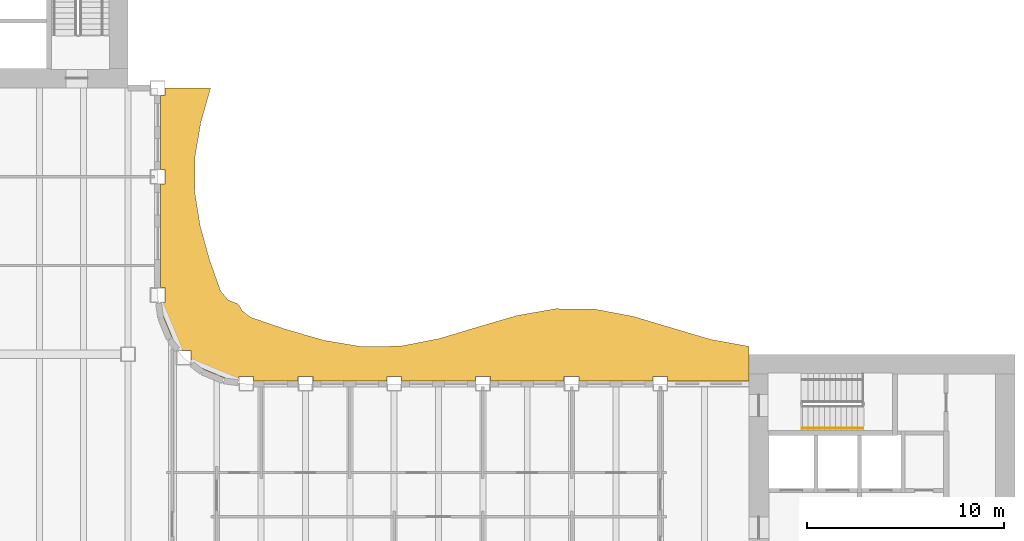
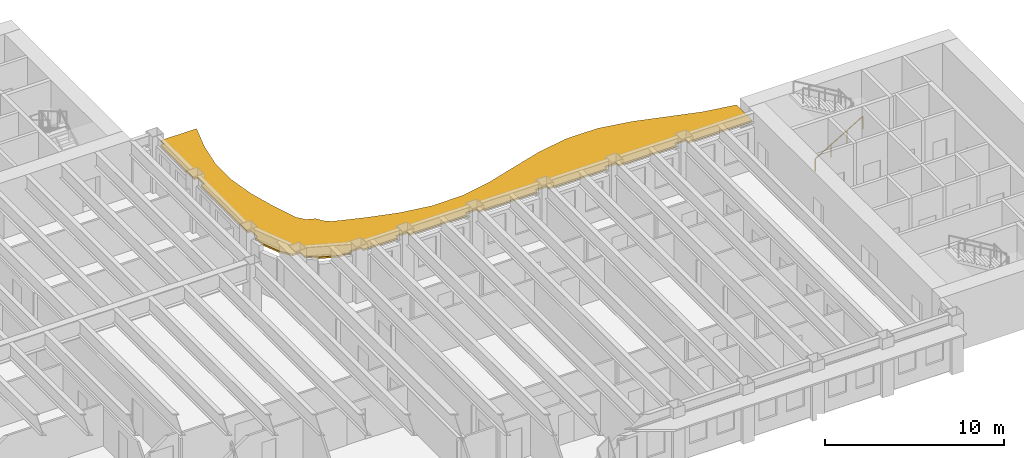
# One storey, part 15 of 17: 1 railing, 1 shading device.
"""IFC4 building model written with IfcOpenShell, lengths in metres."""

from ifc_helpers import new_model, si_unit, direction, frame, origin, origin_2d, place, context, subcontext, project, spatial, polyline, rectangle, outline, extrude, material, layer, layer_set, type_object, element, save


model = new_model("IFC4")

# Units and contexts
model_context = context("Model", 3, precision=1e-05, world=origin(), true_north=direction((0.0, 1.0)))
body_context = subcontext(model_context, "Body", "Model", "MODEL_VIEW")
ifc_project = project(units=[si_unit("LENGTHUNIT", "METRE"), si_unit("AREAUNIT", "SQUARE_METRE"), si_unit("VOLUMEUNIT", "CUBIC_METRE"), si_unit("PLANEANGLEUNIT", "RADIAN"), si_unit("MASSUNIT", "GRAM", prefix="KILO")], contexts=[model_context])

# Site, building, storey
site_placement = place(None, origin())
site = spatial("IfcSite", under=ifc_project, at=site_placement, CompositionType="ELEMENT")
building_placement = place(site_placement, origin())
building = spatial("IfcBuilding", under=site, at=building_placement, Name="Sennacour Bend Tower", CompositionType="ELEMENT")
storey_placement = place(building_placement, frame((0.0, 0.0, 195.0)))
storey = spatial("IfcBuildingStorey", under=building, at=storey_placement, Name="L44", CompositionType="ELEMENT", Elevation=195.0)

# Railing
ifc_material_1 = material(Name="Stainless steel", Category="steel")
railing_type = type_object("IfcRailingType", Name="RL-HANDRAIL-900", PredefinedType="HANDRAIL", material=ifc_material_1)
railing_placement = place(storey_placement, frame((56.699951171875, 18.75, 0.166748046875)))
element("IfcRailing", 1, at=railing_placement, inside=storey, type_object=railing_type, Name="L44 SA2 stair handrail 1", PredefinedType="HANDRAIL", context=body_context, shape_type="SweptSolid", body=[
    extrude(rectangle(XDim=0.048095703125, YDim=0.048095703125, at=origin_2d()), frame((0.0, 0.0, 0.8759765625), z_axis=(0.859308565015, 0.0, 0.511457515432), x_axis=(0.0, 1.0, 0.0)), (0.0, 0.0, 1.0), 3.58447265625),
    extrude(rectangle(XDim=0.0419921875, YDim=0.0419921875, at=origin_2d()), origin(), (0.0, 0.0, 1.0), 0.851806640625),
    extrude(rectangle(XDim=0.0419921875, YDim=0.0419921875, at=origin_2d()), frame((1.026611328125, 0.0, 0.611083984375)), (0.0, 0.0, 1.0), 0.851806640625),
    extrude(rectangle(XDim=0.0419921875, YDim=0.0419921875, at=origin_2d()), frame((2.053466796875, 0.0, 1.22216796875)), (0.0, 0.0, 1.0), 0.851806640625),
    extrude(rectangle(XDim=0.0419921875, YDim=0.0419921875, at=origin_2d()), frame((3.080078125, 0.0, 1.833251953125)), (0.0, 0.0, 1.0), 0.851806640625),
])

# Shading device
ifc_material_2 = material(Name="Bronze anodised aluminium", Category="aluminium")
ifc_layer = layer(ifc_material_2, 0.1201171875, Name="Bronze anodised aluminium", Category="aluminium")
ifc_layer_set = layer_set([ifc_layer], Name="Bronze anodised aluminium")
shading_device_type = type_object("IfcShadingDeviceType", Name="SUNSHADE BAND WAVE", PredefinedType="USERDEFINED", material=ifc_layer_set)
shading_device_placement = place(storey_placement, frame((0.0, 0.0, 3.037109375)))
element("IfcShadingDevice", 2, at=shading_device_placement, inside=storey, type_object=shading_device_type, Name="Sunshade band L44 concave faces", ObjectType="SUNSHADE", PredefinedType="USERDEFINED", context=body_context, shape_type="SweptSolid", body=[
    extrude(outline(polyline([(54.0, 21.14990234375), (49.875, 21.14990234375), (49.875, 21.375), (49.125, 21.375), (49.125, 21.14990234375), (45.375, 21.14990234375), (45.375, 21.375), (44.625, 21.375), (44.625, 21.14990234375), (40.875, 21.14990234375), (40.875, 21.375), (40.125, 21.375), (40.125, 21.14990234375), (36.375, 21.14990234375), (36.375, 21.375), (35.625, 21.375), (35.625, 21.14990234375), (31.875, 21.14990234375), (31.875, 21.375), (31.125, 21.375), (31.125, 21.14990234375), (28.875, 21.14990234375), (28.875, 21.375), (28.125, 21.375), (28.125, 21.20068359375), (27.37451171875, 21.299560546875), (26.32568359375, 21.73388671875), (25.693115234375, 22.21923828125), (25.693115234375, 22.693115234375), (25.21923828125, 22.693115234375), (24.73388671875, 23.32568359375), (24.299560546875, 24.37451171875), (24.20068359375, 25.125), (24.375, 25.125), (24.375, 25.875), (24.14990234375, 25.875), (24.14990234375, 31.125), (24.375, 31.125), (24.375, 31.875), (24.14990234375, 31.875), (24.14990234375, 35.625), (24.375, 35.625), (24.375, 36.0), (26.6884765625, 36.0), (26.1923828125, 34.25), (25.89404296875, 32.5), (25.883056640625, 30.75), (26.16259765625, 29.0), (26.648681640625, 27.25), (27.195556640625, 25.70947265625), (27.576416015625, 25.25244140625), (28.060302734375, 25.060302734375), (28.1728515625, 24.93359375), (28.287841796875, 24.7080078125), (28.72119140625, 24.37451171875), (30.46142578125, 23.77978515625), (32.423095703125, 23.211181640625), (34.384521484375, 22.882568359375), (36.34619140625, 22.91650390625), (38.3076171875, 23.30078125), (40.269287109375, 23.89111328125), (42.230712890625, 24.4658203125), (44.1923828125, 24.809814453125), (46.15380859375, 24.793701171875), (48.115478515625, 24.423583984375), (50.076904296875, 23.83837890625), (52.03857421875, 23.257568359375), (54.0, 22.89892578125), (54.0, 21.14990234375)])), origin(), (0.0, 0.0, 1.0), 0.119873046875),
])

save(model, "model.ifc")
